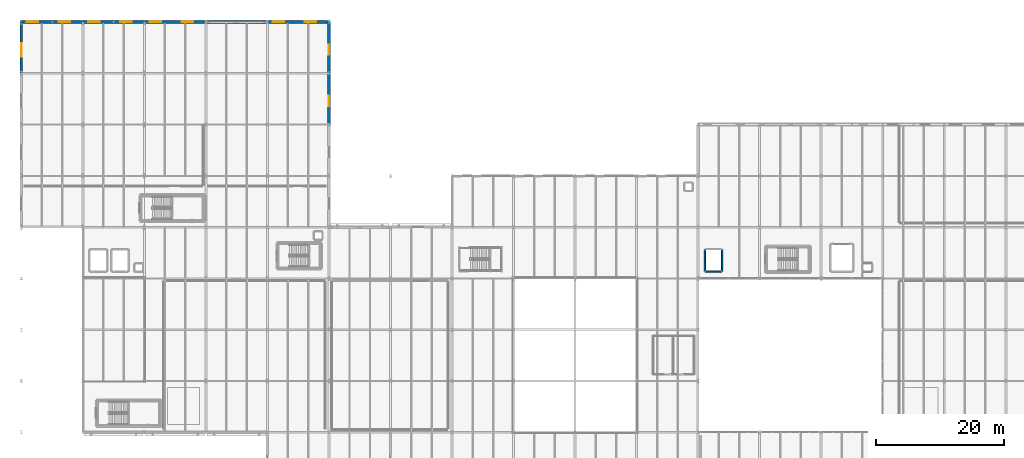
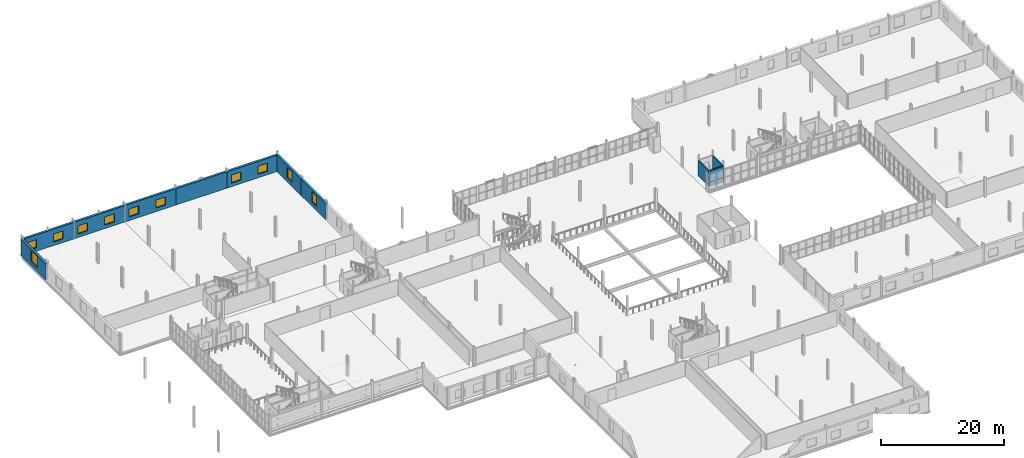
# One storey, part 63 of 78: 11 walls, 11 windows, 11 openings.
"""IFC4 building model written with IfcOpenShell, lengths in metres."""

from ifc_helpers import new_model, si_unit, direction, frame, frame_2d, origin, place, context, subcontext, project, spatial, rectangle, extrude, material, layer, layer_set, type_object, element, fill, save


model = new_model("IFC4")

# Units and contexts
model_context = context("Model", 3, precision=1e-05, world=origin(), true_north=direction((0.0, 1.0)))
body_context = subcontext(model_context, "Body", "Model", "MODEL_VIEW")
ifc_project = project(units=[si_unit("LENGTHUNIT", "METRE"), si_unit("AREAUNIT", "SQUARE_METRE"), si_unit("VOLUMEUNIT", "CUBIC_METRE"), si_unit("PLANEANGLEUNIT", "RADIAN"), si_unit("MASSUNIT", "GRAM", prefix="KILO")], contexts=[model_context])

# Site, building, storey
site_placement = place(None, origin())
site = spatial("IfcSite", under=ifc_project, at=site_placement, CompositionType="ELEMENT")
building_placement = place(site_placement, origin())
building = spatial("IfcBuilding", under=site, at=building_placement, Name="Alderhovde Museum", CompositionType="ELEMENT")
storey_placement = place(building_placement, frame((0.0, 0.0, 4.5)))
storey = spatial("IfcBuildingStorey", under=building, at=storey_placement, Name="L01", CompositionType="ELEMENT", Elevation=4.5)

# Wall, openings, windows
ifc_material_1 = material(Name="Nordic Granite Plinth Masonry", Category="masonry")
ifc_layer_1 = layer(ifc_material_1, 0.419921875)
ifc_layer_set_1 = layer_set([ifc_layer_1], Name="Nordic Granite Plinth Masonry")
wall_type_1 = type_object("IfcWallType", Name="EW-GRAN-420", PredefinedType="SOLIDWALL", material=ifc_layer_set_1)
wall_1_placement = place(storey_placement, frame((9.6201171875, 112.0, 0.0), z_axis=(0.0, 0.0, 1.0), x_axis=(1.0, 0.0, 0.0)))
wall_1 = element("IfcWall", 1, at=wall_1_placement, inside=storey, type_object=wall_type_1, Name="L01 North Wing Beaux-Arts Wall 128", PredefinedType="SOLIDWALL", context=body_context, shape_type="SweptSolid", body=[
    extrude(rectangle(XDim=9.559814453125, YDim=0.419921875, at=frame_2d((4.77978515625, 0.0))), origin(), (0.0, 0.0, 1.0), 3.260009765625),
])
opening_1_placement = place(wall_1_placement, frame((0.800048828125, 0.0, 0.719970703125)))
opening_1 = element("IfcOpeningElement", 2, at=opening_1_placement, cuts=wall_1, Name="Opening W13", PredefinedType="OPENING", context=body_context, shape_type="SweptSolid", body=[
    extrude(rectangle(XDim=1.800048828125, YDim=1.60009765625, at=frame_2d((0.89990234375, 0.800048828125))), frame((0.0, 0.219970703125, 0.0), z_axis=(0.0, -1.0, 0.0), x_axis=(1.0, 0.0, 0.0)), (0.0, 0.0, 1.0), 0.43994140625),
])
opening_2_placement = place(wall_1_placement, frame((5.800048828125, 0.0, 0.719970703125)))
opening_2 = element("IfcOpeningElement", 3, at=opening_2_placement, cuts=wall_1, Name="Opening W13", PredefinedType="OPENING", context=body_context, shape_type="SweptSolid", body=[
    extrude(rectangle(XDim=1.800048828125, YDim=1.60009765625, at=frame_2d((0.89990234375, 0.800048828125))), frame((0.0, 0.219970703125, 0.0), z_axis=(0.0, -1.0, 0.0), x_axis=(1.0, 0.0, 0.0)), (0.0, 0.0, 1.0), 0.43994140625),
])
ifc_material_2 = material(Name="Triple-Glazed Low-E Bronze-Anodised Aluminium", Category="aluminium")
window_type_1 = type_object("IfcWindowType", Name="WIN-ATT-1800x1600", PartitioningType="DOUBLE_PANEL_VERTICAL", PredefinedType="WINDOW", material=ifc_material_2)
window_1_placement = place(opening_1_placement, origin())
window_1 = element("IfcWindow", 4, at=window_1_placement, inside=storey, type_object=window_type_1, Name="L01 Facade Window 103", OverallHeight=1.60009765625, OverallWidth=1.800048828125, PartitioningType="SINGLE_PANEL", PredefinedType="WINDOW", context=body_context, shape_type="SweptSolid", body=[
    extrude(rectangle(XDim=1.800048828125, YDim=1.60009765625, at=frame_2d((0.89990234375, 0.800048828125))), frame((0.0, 0.030029296875, 0.0), z_axis=(0.0, -1.0, 0.0), x_axis=(1.0, 0.0, 0.0)), (0.0, 0.0, 1.0), 0.06005859375),
])
fill(opening_1, window_1)
window_2_placement = place(opening_2_placement, origin())
window_2 = element("IfcWindow", 5, at=window_2_placement, inside=storey, type_object=window_type_1, Name="L01 Facade Window 104", OverallHeight=1.60009765625, OverallWidth=1.800048828125, PartitioningType="SINGLE_PANEL", PredefinedType="WINDOW", context=body_context, shape_type="SweptSolid", body=[
    extrude(rectangle(XDim=1.800048828125, YDim=1.60009765625, at=frame_2d((0.89990234375, 0.800048828125))), frame((0.0, 0.030029296875, 0.0), z_axis=(0.0, -1.0, 0.0), x_axis=(1.0, 0.0, 0.0)), (0.0, 0.0, 1.0), 0.06005859375),
])
fill(opening_2, window_2)

wall_2_placement = place(storey_placement, frame((19.219970703125, 112.0, 0.0), z_axis=(0.0, 0.0, 1.0), x_axis=(1.0, 0.0, 0.0)))
wall_2 = element("IfcWall", 6, at=wall_2_placement, inside=storey, type_object=wall_type_1, Name="L01 North Wing Beaux-Arts Wall 129", PredefinedType="SOLIDWALL", context=body_context, shape_type="SweptSolid", body=[
    extrude(rectangle(XDim=9.56005859375, YDim=0.419921875, at=frame_2d((4.780029296875, 0.0))), origin(), (0.0, 0.0, 1.0), 3.260009765625),
])
opening_3_placement = place(wall_2_placement, frame((0.800048828125, 0.0, 0.719970703125)))
opening_3 = element("IfcOpeningElement", 7, at=opening_3_placement, cuts=wall_2, Name="Opening W13", PredefinedType="OPENING", context=body_context, shape_type="SweptSolid", body=[
    extrude(rectangle(XDim=1.800048828125, YDim=1.60009765625, at=frame_2d((0.89990234375, 0.800048828125))), frame((0.0, 0.219970703125, 0.0), z_axis=(0.0, -1.0, 0.0), x_axis=(1.0, 0.0, 0.0)), (0.0, 0.0, 1.0), 0.43994140625),
])
opening_4_placement = place(wall_2_placement, frame((5.800048828125, 0.0, 0.719970703125)))
opening_4 = element("IfcOpeningElement", 8, at=opening_4_placement, cuts=wall_2, Name="Opening W13", PredefinedType="OPENING", context=body_context, shape_type="SweptSolid", body=[
    extrude(rectangle(XDim=1.800048828125, YDim=1.60009765625, at=frame_2d((0.89990234375, 0.800048828125))), frame((0.0, 0.219970703125, 0.0), z_axis=(0.0, -1.0, 0.0), x_axis=(1.0, 0.0, 0.0)), (0.0, 0.0, 1.0), 0.43994140625),
])
window_3_placement = place(opening_3_placement, origin())
window_3 = element("IfcWindow", 9, at=window_3_placement, inside=storey, type_object=window_type_1, Name="L01 Facade Window 105", OverallHeight=1.60009765625, OverallWidth=1.800048828125, PartitioningType="SINGLE_PANEL", PredefinedType="WINDOW", context=body_context, shape_type="SweptSolid", body=[
    extrude(rectangle(XDim=1.800048828125, YDim=1.60009765625, at=frame_2d((0.89990234375, 0.800048828125))), frame((0.0, 0.030029296875, 0.0), z_axis=(0.0, -1.0, 0.0), x_axis=(1.0, 0.0, 0.0)), (0.0, 0.0, 1.0), 0.06005859375),
])
fill(opening_3, window_3)
window_4_placement = place(opening_4_placement, origin())
window_4 = element("IfcWindow", 10, at=window_4_placement, inside=storey, type_object=window_type_1, Name="L01 Facade Window 106", OverallHeight=1.60009765625, OverallWidth=1.800048828125, PartitioningType="SINGLE_PANEL", PredefinedType="WINDOW", context=body_context, shape_type="SweptSolid", body=[
    extrude(rectangle(XDim=1.800048828125, YDim=1.60009765625, at=frame_2d((0.89990234375, 0.800048828125))), frame((0.0, 0.030029296875, 0.0), z_axis=(0.0, -1.0, 0.0), x_axis=(1.0, 0.0, 0.0)), (0.0, 0.0, 1.0), 0.06005859375),
])
fill(opening_4, window_4)

wall_3_placement = place(storey_placement, frame((28.820068359375, 112.0, 0.0), z_axis=(0.0, 0.0, 1.0), x_axis=(1.0, 0.0, 0.0)))
wall_3 = element("IfcWall", 11, at=wall_3_placement, inside=storey, type_object=wall_type_1, Name="L01 North Wing Beaux-Arts Wall 130", PredefinedType="SOLIDWALL", context=body_context, shape_type="SweptSolid", body=[
    extrude(rectangle(XDim=9.559814453125, YDim=0.419921875, at=frame_2d((4.77978515625, 0.0))), origin(), (0.0, 0.0, 1.0), 3.260009765625),
])
opening_5_placement = place(wall_3_placement, frame((0.800048828125, 0.0, 0.719970703125)))
opening_5 = element("IfcOpeningElement", 12, at=opening_5_placement, cuts=wall_3, Name="Opening W13", PredefinedType="OPENING", context=body_context, shape_type="SweptSolid", body=[
    extrude(rectangle(XDim=1.800048828125, YDim=1.60009765625, at=frame_2d((0.89990234375, 0.800048828125))), frame((0.0, 0.219970703125, 0.0), z_axis=(0.0, -1.0, 0.0), x_axis=(1.0, 0.0, 0.0)), (0.0, 0.0, 1.0), 0.43994140625),
])
opening_6_placement = place(wall_3_placement, frame((5.800048828125, 0.0, 0.719970703125)))
opening_6 = element("IfcOpeningElement", 13, at=opening_6_placement, cuts=wall_3, Name="Opening W13", PredefinedType="OPENING", context=body_context, shape_type="SweptSolid", body=[
    extrude(rectangle(XDim=1.800048828125, YDim=1.60009765625, at=frame_2d((0.89990234375, 0.800048828125))), frame((0.0, 0.219970703125, 0.0), z_axis=(0.0, -1.0, 0.0), x_axis=(1.0, 0.0, 0.0)), (0.0, 0.0, 1.0), 0.43994140625),
])
window_5_placement = place(opening_5_placement, origin())
window_5 = element("IfcWindow", 14, at=window_5_placement, inside=storey, type_object=window_type_1, Name="L01 Facade Window 107", OverallHeight=1.60009765625, OverallWidth=1.800048828125, PartitioningType="SINGLE_PANEL", PredefinedType="WINDOW", context=body_context, shape_type="SweptSolid", body=[
    extrude(rectangle(XDim=1.800048828125, YDim=1.60009765625, at=frame_2d((0.89990234375, 0.800048828125))), frame((0.0, 0.030029296875, 0.0), z_axis=(0.0, -1.0, 0.0), x_axis=(1.0, 0.0, 0.0)), (0.0, 0.0, 1.0), 0.06005859375),
])
fill(opening_5, window_5)
window_6_placement = place(opening_6_placement, origin())
window_6 = element("IfcWindow", 15, at=window_6_placement, inside=storey, type_object=window_type_1, Name="L01 Facade Window 108", OverallHeight=1.60009765625, OverallWidth=1.800048828125, PartitioningType="SINGLE_PANEL", PredefinedType="WINDOW", context=body_context, shape_type="SweptSolid", body=[
    extrude(rectangle(XDim=1.800048828125, YDim=1.60009765625, at=frame_2d((0.89990234375, 0.800048828125))), frame((0.0, 0.030029296875, 0.0), z_axis=(0.0, -1.0, 0.0), x_axis=(1.0, 0.0, 0.0)), (0.0, 0.0, 1.0), 0.06005859375),
])
fill(opening_6, window_6)

# Wall
wall_4_placement = place(storey_placement, frame((38.419921875, 112.0, 0.0), z_axis=(0.0, 0.0, 1.0), x_axis=(1.0, 0.0, 0.0)))
element("IfcWall", 16, at=wall_4_placement, inside=storey, type_object=wall_type_1, Name="L01 North Wing Beaux-Arts Wall 131", PredefinedType="SOLIDWALL", context=body_context, shape_type="SweptSolid", body=[
    extrude(rectangle(XDim=9.56005859375, YDim=0.419921875, at=frame_2d((4.780029296875, 0.0))), origin(), (0.0, 0.0, 1.0), 3.260009765625),
])

# Wall, openings, windows
wall_5_placement = place(storey_placement, frame((48.02001953125, 112.0, 0.0), z_axis=(0.0, 0.0, 1.0), x_axis=(1.0, 0.0, 0.0)))
wall_5 = element("IfcWall", 17, at=wall_5_placement, inside=storey, type_object=wall_type_1, Name="L01 North Wing Beaux-Arts Wall 132", PredefinedType="SOLIDWALL", context=body_context, shape_type="SweptSolid", body=[
    extrude(rectangle(XDim=9.56005859375, YDim=0.419921875, at=frame_2d((4.780029296875, 0.0))), origin(), (0.0, 0.0, 1.0), 3.260009765625),
])
opening_7_placement = place(wall_5_placement, frame((0.800048828125, 0.0, 0.719970703125)))
opening_7 = element("IfcOpeningElement", 18, at=opening_7_placement, cuts=wall_5, Name="Opening W13", PredefinedType="OPENING", context=body_context, shape_type="SweptSolid", body=[
    extrude(rectangle(XDim=1.800048828125, YDim=1.60009765625, at=frame_2d((0.89990234375, 0.800048828125))), frame((0.0, 0.219970703125, 0.0), z_axis=(0.0, -1.0, 0.0), x_axis=(1.0, 0.0, 0.0)), (0.0, 0.0, 1.0), 0.43994140625),
])
opening_8_placement = place(wall_5_placement, frame((5.800048828125, 0.0, 0.719970703125)))
opening_8 = element("IfcOpeningElement", 19, at=opening_8_placement, cuts=wall_5, Name="Opening W13", PredefinedType="OPENING", context=body_context, shape_type="SweptSolid", body=[
    extrude(rectangle(XDim=1.800048828125, YDim=1.60009765625, at=frame_2d((0.89990234375, 0.800048828125))), frame((0.0, 0.219970703125, 0.0), z_axis=(0.0, -1.0, 0.0), x_axis=(1.0, 0.0, 0.0)), (0.0, 0.0, 1.0), 0.43994140625),
])
window_7_placement = place(opening_7_placement, origin())
window_7 = element("IfcWindow", 20, at=window_7_placement, inside=storey, type_object=window_type_1, Name="L01 Facade Window 109", OverallHeight=1.60009765625, OverallWidth=1.800048828125, PartitioningType="SINGLE_PANEL", PredefinedType="WINDOW", context=body_context, shape_type="SweptSolid", body=[
    extrude(rectangle(XDim=1.800048828125, YDim=1.60009765625, at=frame_2d((0.89990234375, 0.800048828125))), frame((0.0, 0.030029296875, 0.0), z_axis=(0.0, -1.0, 0.0), x_axis=(1.0, 0.0, 0.0)), (0.0, 0.0, 1.0), 0.06005859375),
])
fill(opening_7, window_7)
window_8_placement = place(opening_8_placement, origin())
window_8 = element("IfcWindow", 21, at=window_8_placement, inside=storey, type_object=window_type_1, Name="L01 Facade Window 110", OverallHeight=1.60009765625, OverallWidth=1.800048828125, PartitioningType="SINGLE_PANEL", PredefinedType="WINDOW", context=body_context, shape_type="SweptSolid", body=[
    extrude(rectangle(XDim=1.800048828125, YDim=1.60009765625, at=frame_2d((0.89990234375, 0.800048828125))), frame((0.0, 0.030029296875, 0.0), z_axis=(0.0, -1.0, 0.0), x_axis=(1.0, 0.0, 0.0)), (0.0, 0.0, 1.0), 0.06005859375),
])
fill(opening_8, window_8)

# Wall, opening, window
wall_6_placement = place(storey_placement, frame((57.60009765625, 96.02001953125, 0.0), z_axis=(0.0, 0.0, 1.0), x_axis=(0.0, 1.0, 0.0)))
wall_6 = element("IfcWall", 22, at=wall_6_placement, inside=storey, type_object=wall_type_1, Name="L01 North Wing East Wall 138", PredefinedType="SOLIDWALL", context=body_context, shape_type="SweptSolid", body=[
    extrude(rectangle(XDim=7.9599609375, YDim=0.419921875, at=frame_2d((3.97998046875, 0.0))), origin(), (0.0, 0.0, 1.0), 3.260009765625),
])
opening_9_placement = place(wall_6_placement, frame((2.85009765625, 0.0, 0.89990234375)))
opening_9 = element("IfcOpeningElement", 23, at=opening_9_placement, cuts=wall_6, Name="Opening W17", PredefinedType="OPENING", context=body_context, shape_type="SweptSolid", body=[
    extrude(rectangle(XDim=1.60009765625, YDim=2.0, at=frame_2d((0.800048828125, 1.0))), frame((0.0, 0.219970703125, 0.0), z_axis=(0.0, -1.0, 0.0), x_axis=(1.0, 0.0, 0.0)), (0.0, 0.0, 1.0), 0.43994140625),
])
ifc_material_3 = material(Name="Triple-Glazed Low-E Bronze-Anodised Aluminium", Category="aluminium")
window_type_2 = type_object("IfcWindowType", Name="WIN-LAB-1600x2000", PartitioningType="DOUBLE_PANEL_VERTICAL", PredefinedType="WINDOW", material=ifc_material_3)
window_9_placement = place(opening_9_placement, origin())
window_9 = element("IfcWindow", 24, at=window_9_placement, inside=storey, type_object=window_type_2, Name="L01 Facade Window 116", OverallHeight=2.0, OverallWidth=1.60009765625, PartitioningType="SINGLE_PANEL", PredefinedType="WINDOW", context=body_context, shape_type="SweptSolid", body=[
    extrude(rectangle(XDim=1.60009765625, YDim=2.0, at=frame_2d((0.800048828125, 1.0))), frame((0.0, 0.030029296875, 0.0), z_axis=(0.0, -1.0, 0.0), x_axis=(1.0, 0.0, 0.0)), (0.0, 0.0, 1.0), 0.06005859375),
])
fill(opening_9, window_9)

wall_7_placement = place(storey_placement, frame((9.60009765625, 104.02001953125, 0.0), z_axis=(0.0, 0.0, 1.0), x_axis=(0.0, 1.0, 0.0)))
wall_7 = element("IfcWall", 25, at=wall_7_placement, inside=storey, type_object=wall_type_1, Name="L01 North Wing West Wall 139", PredefinedType="SOLIDWALL", context=body_context, shape_type="SweptSolid", body=[
    extrude(rectangle(XDim=7.9599609375, YDim=0.419921875, at=frame_2d((3.97998046875, 0.0))), origin(), (0.0, 0.0, 1.0), 3.260009765625),
])
opening_10_placement = place(wall_7_placement, frame((2.60009765625, 0.0, 0.89990234375)))
opening_10 = element("IfcOpeningElement", 26, at=opening_10_placement, cuts=wall_7, Name="Opening W10", PredefinedType="OPENING", context=body_context, shape_type="SweptSolid", body=[
    extrude(rectangle(XDim=2.10009765625, YDim=2.10009765625, at=frame_2d((1.050048828125, 1.050048828125))), frame((0.0, 0.219970703125, 0.0), z_axis=(0.0, -1.0, 0.0), x_axis=(1.0, 0.0, 0.0)), (0.0, 0.0, 1.0), 0.43994140625),
])
ifc_material_4 = material(Name="Triple-Glazed Low-E Bronze-Anodised Aluminium", Category="aluminium")
window_type_3 = type_object("IfcWindowType", Name="WIN-BA-2100x2100", PartitioningType="DOUBLE_PANEL_VERTICAL", PredefinedType="WINDOW", material=ifc_material_4)
window_10_placement = place(opening_10_placement, origin())
window_10 = element("IfcWindow", 27, at=window_10_placement, inside=storey, type_object=window_type_3, Name="L01 Facade Window 117", OverallHeight=2.10009765625, OverallWidth=2.10009765625, PartitioningType="SINGLE_PANEL", PredefinedType="WINDOW", context=body_context, shape_type="SweptSolid", body=[
    extrude(rectangle(XDim=2.10009765625, YDim=2.10009765625, at=frame_2d((1.050048828125, 1.050048828125))), frame((0.0, 0.030029296875, 0.0), z_axis=(0.0, -1.0, 0.0), x_axis=(1.0, 0.0, 0.0)), (0.0, 0.0, 1.0), 0.06005859375),
])
fill(opening_10, window_10)

wall_8_placement = place(storey_placement, frame((57.60009765625, 104.02001953125, 0.0), z_axis=(0.0, 0.0, 1.0), x_axis=(0.0, 1.0, 0.0)))
wall_8 = element("IfcWall", 28, at=wall_8_placement, inside=storey, type_object=wall_type_1, Name="L01 North Wing East Wall 140", PredefinedType="SOLIDWALL", context=body_context, shape_type="SweptSolid", body=[
    extrude(rectangle(XDim=7.9599609375, YDim=0.419921875, at=frame_2d((3.97998046875, 0.0))), origin(), (0.0, 0.0, 1.0), 3.260009765625),
])
opening_11_placement = place(wall_8_placement, frame((2.85009765625, 0.0, 0.89990234375)))
opening_11 = element("IfcOpeningElement", 29, at=opening_11_placement, cuts=wall_8, Name="Opening W17", PredefinedType="OPENING", context=body_context, shape_type="SweptSolid", body=[
    extrude(rectangle(XDim=1.60009765625, YDim=2.0, at=frame_2d((0.800048828125, 1.0))), frame((0.0, 0.219970703125, 0.0), z_axis=(0.0, -1.0, 0.0), x_axis=(1.0, 0.0, 0.0)), (0.0, 0.0, 1.0), 0.43994140625),
])
window_11_placement = place(opening_11_placement, origin())
window_11 = element("IfcWindow", 30, at=window_11_placement, inside=storey, type_object=window_type_2, Name="L01 Facade Window 118", OverallHeight=2.0, OverallWidth=1.60009765625, PartitioningType="SINGLE_PANEL", PredefinedType="WINDOW", context=body_context, shape_type="SweptSolid", body=[
    extrude(rectangle(XDim=1.60009765625, YDim=2.0, at=frame_2d((0.800048828125, 1.0))), frame((0.0, 0.030029296875, 0.0), z_axis=(0.0, -1.0, 0.0), x_axis=(1.0, 0.0, 0.0)), (0.0, 0.0, 1.0), 0.06005859375),
])
fill(opening_11, window_11)

# Walls
ifc_material_5 = material(Name="Concrete C40/50 and Fireboard Shaft Wall", Category="concrete")
ifc_layer_2 = layer(ifc_material_5, 0.22998046875)
ifc_layer_set_2 = layer_set([ifc_layer_2], Name="Concrete C40/50 and Fireboard Shaft Wall")
wall_type_2 = type_object("IfcWallType", Name="IW-SHAFT-230", PredefinedType="SOLIDWALL", material=ifc_layer_set_2)
wall_9_placement = place(storey_placement, frame((116.340087890625, 73.06005859375, 0.0), z_axis=(0.0, 0.0, 1.0), x_axis=(1.0, 0.0, 0.0)))
element("IfcWall", 31, at=wall_9_placement, inside=storey, type_object=wall_type_2, Name="L01 Passenger Lift PL-03 Shaft Wall South", PredefinedType="SOLIDWALL", context=body_context, shape_type="SweptSolid", body=[
    extrude(rectangle(XDim=2.52001953125, YDim=0.22998046875, at=frame_2d((1.260009765625, 0.0))), origin(), (0.0, 0.0, 1.0), 3.10009765625),
])
for number, where, z_axis, x_axis, name in (
    (32, (116.260009765625, 73.139892578125, 0.0), (0.0, 0.0, 1.0), (0.0, 1.0, 0.0), "L01 Passenger Lift PL-03 Shaft Wall West"),
    (33, (118.93994140625, 73.139892578125, 0.0), (0.0, 0.0, 1.0), (0.0, 1.0, 0.0), "L01 Passenger Lift PL-03 Shaft Wall East"),
):
    element("IfcWall", number, at=place(storey_placement, frame(where, z_axis=z_axis, x_axis=x_axis)), inside=storey, type_object=wall_type_2, Name=name, PredefinedType="SOLIDWALL", context=body_context, shape_type="SweptSolid", body=[
        extrude(rectangle(XDim=3.320068359375, YDim=0.22998046875, at=frame_2d((1.66015625, 0.0))), origin(), (0.0, 0.0, 1.0), 3.10009765625),
    ])

save(model, "model.ifc")
